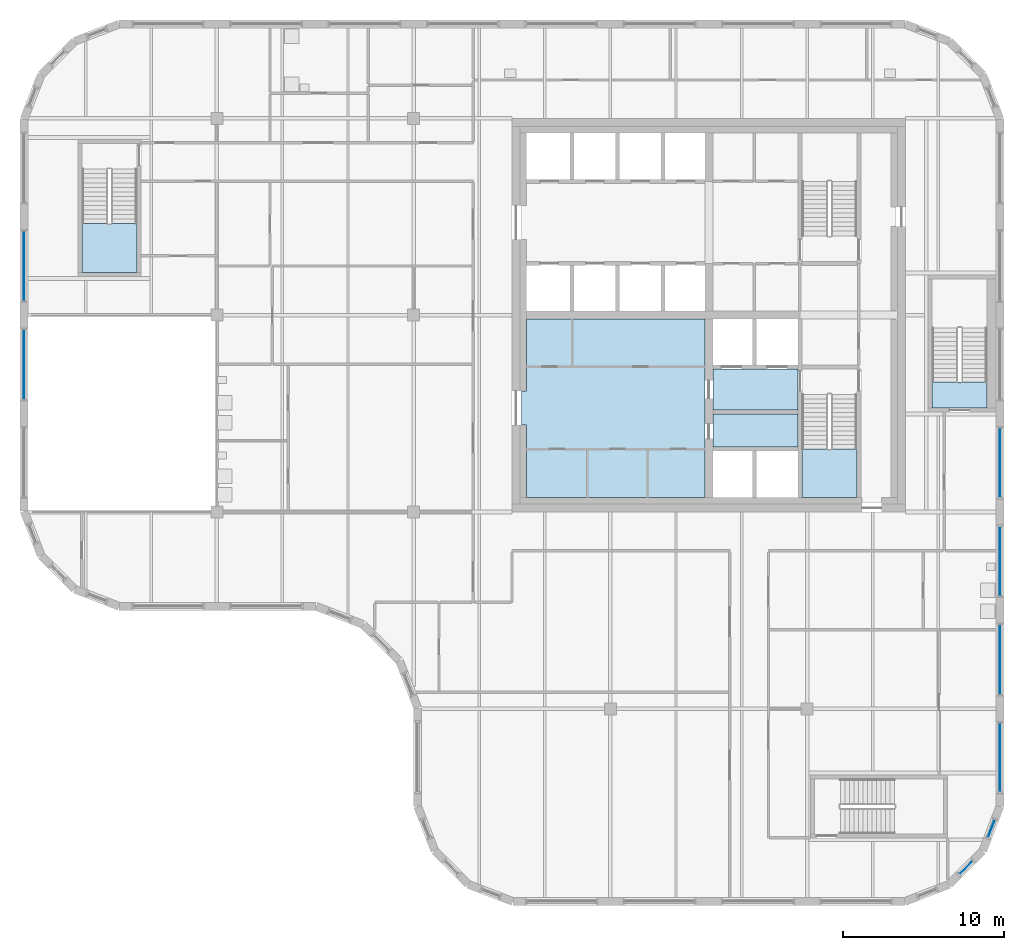
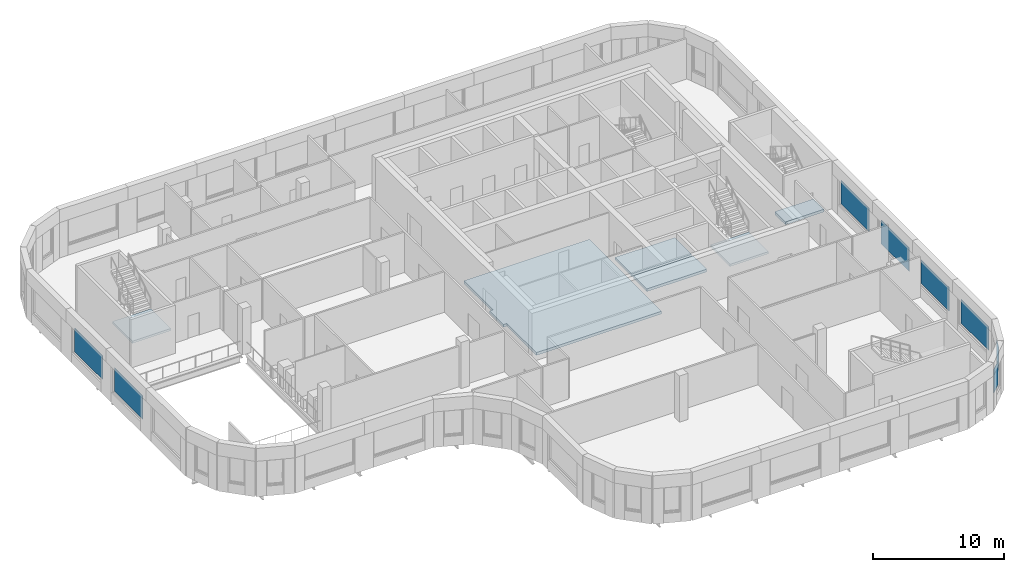
# One storey, part 8 of 21: 8 plates, 6 slabs, 10 elements without a shape of their own.
"""IFC4 building model written with IfcOpenShell, lengths in metres."""

from ifc_helpers import new_model, si_unit, direction, frame, origin, origin_2d, place, context, subcontext, project, spatial, polyline, rectangle, outline, extrude, material, layer, layer_set, type_object, element, aggregate, save


model = new_model("IFC4")

# Units and contexts
model_context = context("Model", 3, precision=1e-05, world=origin(), true_north=direction((0.0, 1.0)))
body_context = subcontext(model_context, "Body", "Model", "MODEL_VIEW")
ifc_project = project(units=[si_unit("LENGTHUNIT", "METRE"), si_unit("AREAUNIT", "SQUARE_METRE"), si_unit("VOLUMEUNIT", "CUBIC_METRE"), si_unit("PLANEANGLEUNIT", "RADIAN"), si_unit("MASSUNIT", "GRAM", prefix="KILO")], contexts=[model_context])

# Site, building, storey
site_placement = place(None, origin())
site = spatial("IfcSite", under=ifc_project, at=site_placement, CompositionType="ELEMENT")
building_placement = place(site_placement, origin())
building = spatial("IfcBuilding", under=site, at=building_placement, Name="Tessera Gate Towers", CompositionType="ELEMENT")
storey_placement = place(building_placement, frame((0.0, 0.0, 193.39990234375)))
storey = spatial("IfcBuildingStorey", under=building, at=storey_placement, Name="L48", CompositionType="ELEMENT", Elevation=193.39990234375)

# Slabs
ifc_material_1 = material(Name="Concrete C35/45", Category="concrete")
ifc_layer_1 = layer(ifc_material_1, 0.25)
ifc_layer_set_1 = layer_set([ifc_layer_1], Name="CORE FLOOR SLAB 250")
slab_type_1 = type_object("IfcSlabType", Name="CORE FLOOR SLAB 250", PredefinedType="FLOOR", material=ifc_layer_set_1)
slab_1_placement = place(storey_placement, frame((0.0, 0.0, -0.25)))
element("IfcSlab", 1, at=slab_1_placement, inside=storey, type_object=slab_type_1, Name="L48 core floor slab", PredefinedType="FLOOR", context=body_context, shape_type="SweptSolid", body=[
    extrude(outline(polyline([(31.39990234375, 36.35009765625), (31.39990234375, 31.89990234375), (31.10009765625, 31.89990234375), (31.10009765625, 29.800048828125), (31.39990234375, 29.800048828125), (31.39990234375, 25.300048828125), (42.449951171875, 25.300048828125), (42.449951171875, 36.35009765625), (31.39990234375, 36.35009765625)])), origin(), (0.0, 0.0, 1.0), 0.25),
])
slab_2_placement = place(storey_placement, frame((0.0, 0.0, -0.25)))
element("IfcSlab", 2, at=slab_2_placement, inside=storey, type_object=slab_type_1, Name="L48 core floor slab", PredefinedType="FLOOR", context=body_context, shape_type="SweptSolid", body=[
    extrude(outline(polyline([(42.949951171875, 33.27490234375), (42.949951171875, 30.72509765625), (48.22509765625, 30.72509765625), (48.22509765625, 33.27490234375), (42.949951171875, 33.27490234375)])), origin(), (0.0, 0.0, 1.0), 0.25),
])
slab_3_placement = place(storey_placement, frame((0.0, 0.0, -0.25)))
element("IfcSlab", 3, at=slab_3_placement, inside=storey, type_object=slab_type_1, Name="L48 core floor slab", PredefinedType="FLOOR", context=body_context, shape_type="SweptSolid", body=[
    extrude(outline(polyline([(48.22509765625, 30.47509765625), (42.949951171875, 30.47509765625), (42.949951171875, 28.425048828125), (48.22509765625, 28.425048828125), (48.22509765625, 30.47509765625)])), origin(), (0.0, 0.0, 1.0), 0.25),
])
slab_4_placement = place(storey_placement, frame((0.0, 0.0, -0.25)))
element("IfcSlab", 4, at=slab_4_placement, inside=storey, type_object=slab_type_1, Name="L48 ST5 floor landing", PredefinedType="FLOOR", context=body_context, shape_type="SweptSolid", body=[
    extrude(outline(polyline([(59.949951171875, 30.85009765625), (59.949951171875, 32.449951171875), (56.550048828125, 32.449951171875), (56.550048828125, 30.85009765625), (59.949951171875, 30.85009765625)])), origin(), (0.0, 0.0, 1.0), 0.25),
])

# Stair, slab
ifc_material_2 = material(Name="Concrete C40/50", Category="concrete")
stair_type_1 = type_object("IfcStairType", Name="EXIT STAIR ST1B 1600", PredefinedType="HALF_TURN_STAIR", material=ifc_material_2)
stair_1_placement = place(storey_placement, origin())
stair_1 = element("IfcStair", 5, at=stair_1_placement, inside=storey, type_object=stair_type_1, Name="L48 Protected Exit Stair ST1", PredefinedType="HALF_TURN_STAIR")
ifc_material_3 = material(Name="Concrete C40/50", Category="concrete")
ifc_layer_2 = layer(ifc_material_3, 0.199951171875)
ifc_layer_set_2 = layer_set([ifc_layer_2], Name="EXIT STAIR LANDING 200")
slab_type_2 = type_object("IfcSlabType", Name="EXIT STAIR LANDING 200", PredefinedType="LANDING", material=ifc_layer_set_2)
slab_5_placement = place(storey_placement, frame((0.0, 0.0, 2.050048828125)))
slab_5 = element("IfcSlab", 6, at=slab_5_placement, type_object=slab_type_2, Name="ST1 landing 1", PredefinedType="LANDING", context=body_context, shape_type="SweptSolid", body=[
    extrude(outline(polyline([(48.47509765625, 28.31494140625), (48.47509765625, 25.300048828125), (51.875, 25.300048828125), (51.875, 28.31494140625), (48.47509765625, 28.31494140625)])), origin(), (0.0, 0.0, 1.0), 0.199951171875),
])
aggregate(stair_1, [slab_5])

ifc_material_4 = material(Name="Concrete C40/50", Category="concrete")
stair_type_2 = type_object("IfcStairType", Name="EXIT STAIR ST3B 1600", PredefinedType="HALF_TURN_STAIR", material=ifc_material_4)
stair_2_placement = place(storey_placement, origin())
stair_2 = element("IfcStair", 7, at=stair_2_placement, inside=storey, type_object=stair_type_2, Name="L48 West Exit Stair ST3", PredefinedType="HALF_TURN_STAIR")
slab_6_placement = place(storey_placement, frame((0.0, 0.0, 2.050048828125)))
slab_6 = element("IfcSlab", 8, at=slab_6_placement, type_object=slab_type_2, Name="ST3 landing 1", PredefinedType="LANDING", context=body_context, shape_type="SweptSolid", body=[
    extrude(outline(polyline([(3.85009765625, 42.2900390625), (3.85009765625, 39.25), (7.25, 39.25), (7.25, 42.2900390625), (3.85009765625, 42.2900390625)])), origin(), (0.0, 0.0, 1.0), 0.199951171875),
])
aggregate(stair_2, [slab_6])

# Curtain wall, plate
ifc_material_5 = material(Name="Aluminium frame", Category="aluminium")
curtain_wall_type = type_object("IfcCurtainWallType", Name="CW-S3 amenity floor glazing", PredefinedType="NOTDEFINED", material=ifc_material_5)
curtain_wall_1_placement = place(storey_placement, origin())
curtain_wall_1 = element("IfcCurtainWall", 9, at=curtain_wall_1_placement, inside=storey, type_object=curtain_wall_type, Name="Curtain wall amenity floor glazing 0050", PredefinedType="NOTDEFINED")
ifc_material_6 = material(Name="Low-e laminated glass", Category="glass")
ifc_layer_3 = layer(ifc_material_6, 0.035888671875)
ifc_layer_set_3 = layer_set([ifc_layer_3], Name="PN-S3 glass panel 36")
plate_type = type_object("IfcPlateType", Name="PN-S3 glass panel 36", PredefinedType="CURTAIN_PANEL", material=ifc_layer_set_3)
plate_1_placement = place(storey_placement, frame((58.647216796875, 2.352783203125, 1.0), z_axis=(0.0, 0.0, 1.0), x_axis=(0.707106781187, 0.707106781187, 0.0)))
plate_1 = element("IfcPlate", 10, at=plate_1_placement, type_object=plate_type, Name="T1-CW3-0050 panel 1.1", PredefinedType="CURTAIN_PANEL", context=body_context, shape_type="SweptSolid", body=[
    extrude(rectangle(XDim=1.14404296875, YDim=0.035888671875, at=origin_2d()), origin(), (0.0, 0.0, 1.0), 2.199951171875),
])
aggregate(curtain_wall_1, [plate_1])

curtain_wall_2_placement = place(storey_placement, origin())
curtain_wall_2 = element("IfcCurtainWall", 11, at=curtain_wall_2_placement, inside=storey, type_object=curtain_wall_type, Name="Curtain wall amenity floor glazing 0051", PredefinedType="NOTDEFINED")
plate_2_placement = place(storey_placement, frame((60.218994140625, 4.77001953125, 1.0), z_axis=(0.0, 0.0, 1.0), x_axis=(0.359904070394, 0.932989314041, 0.0)))
plate_2 = element("IfcPlate", 12, at=plate_2_placement, type_object=plate_type, Name="T1-CW3-0051 panel 1.1", PredefinedType="CURTAIN_PANEL", context=body_context, shape_type="SweptSolid", body=[
    extrude(rectangle(XDim=1.150634765625, YDim=0.035888671875, at=origin_2d()), origin(), (0.0, 0.0, 1.0), 2.199951171875),
])
aggregate(curtain_wall_2, [plate_2])

curtain_wall_3_placement = place(storey_placement, origin())
curtain_wall_3 = element("IfcCurtainWall", 13, at=curtain_wall_3_placement, inside=storey, type_object=curtain_wall_type, Name="Curtain wall amenity floor glazing 0052", PredefinedType="NOTDEFINED")
plate_3_placement = place(storey_placement, frame((60.75, 9.17333984375, 1.0), z_axis=(0.0, 0.0, 1.0), x_axis=(0.0, 1.0, 0.0)))
plate_3 = element("IfcPlate", 14, at=plate_3_placement, type_object=plate_type, Name="T1-CW3-0052 panel 1.1", PredefinedType="CURTAIN_PANEL", context=body_context, shape_type="SweptSolid", body=[
    extrude(rectangle(XDim=4.25341796875, YDim=0.035888671875, at=origin_2d()), origin(), (0.0, 0.0, 1.0), 2.199951171875),
])
aggregate(curtain_wall_3, [plate_3])

curtain_wall_4_placement = place(storey_placement, origin())
curtain_wall_4 = element("IfcCurtainWall", 15, at=curtain_wall_4_placement, inside=storey, type_object=curtain_wall_type, Name="Curtain wall amenity floor glazing 0053", PredefinedType="NOTDEFINED")
plate_4_placement = place(storey_placement, frame((60.75, 15.25, 1.0), z_axis=(0.0, 0.0, 1.0), x_axis=(0.0, 1.0, 0.0)))
plate_4 = element("IfcPlate", 16, at=plate_4_placement, type_object=plate_type, Name="T1-CW3-0053 panel 1.1", PredefinedType="CURTAIN_PANEL", context=body_context, shape_type="SweptSolid", body=[
    extrude(rectangle(XDim=4.300048828125, YDim=0.035888671875, at=origin_2d()), origin(), (0.0, 0.0, 1.0), 2.199951171875),
])
aggregate(curtain_wall_4, [plate_4])

curtain_wall_5_placement = place(storey_placement, origin())
curtain_wall_5 = element("IfcCurtainWall", 17, at=curtain_wall_5_placement, inside=storey, type_object=curtain_wall_type, Name="Curtain wall amenity floor glazing 0054", PredefinedType="NOTDEFINED")
plate_5_placement = place(storey_placement, frame((60.75, 21.35009765625, 1.0), z_axis=(0.0, 0.0, 1.0), x_axis=(0.0, 1.0, 0.0)))
plate_5 = element("IfcPlate", 18, at=plate_5_placement, type_object=plate_type, Name="T1-CW3-0054 panel 1.1", PredefinedType="CURTAIN_PANEL", context=body_context, shape_type="SweptSolid", body=[
    extrude(rectangle(XDim=4.300048828125, YDim=0.035888671875, at=origin_2d()), origin(), (0.0, 0.0, 1.0), 2.199951171875),
])
aggregate(curtain_wall_5, [plate_5])

curtain_wall_6_placement = place(storey_placement, origin())
curtain_wall_6 = element("IfcCurtainWall", 19, at=curtain_wall_6_placement, inside=storey, type_object=curtain_wall_type, Name="Curtain wall amenity floor glazing 0055", PredefinedType="NOTDEFINED")
plate_6_placement = place(storey_placement, frame((60.75, 27.449951171875, 1.0), z_axis=(0.0, 0.0, 1.0), x_axis=(0.0, 1.0, 0.0)))
plate_6 = element("IfcPlate", 20, at=plate_6_placement, type_object=plate_type, Name="T1-CW3-0055 panel 1.1", PredefinedType="CURTAIN_PANEL", context=body_context, shape_type="SweptSolid", body=[
    extrude(rectangle(XDim=4.300048828125, YDim=0.035888671875, at=origin_2d()), origin(), (0.0, 0.0, 1.0), 2.199951171875),
])
aggregate(curtain_wall_6, [plate_6])

curtain_wall_7_placement = place(storey_placement, origin())
curtain_wall_7 = element("IfcCurtainWall", 21, at=curtain_wall_7_placement, inside=storey, type_object=curtain_wall_type, Name="Curtain wall amenity floor glazing 0074", PredefinedType="NOTDEFINED")
plate_7_placement = place(storey_placement, frame((0.25, 39.64990234375, 1.0), z_axis=(0.0, 0.0, 1.0), x_axis=(0.0, -1.0, 0.0)))
plate_7 = element("IfcPlate", 22, at=plate_7_placement, type_object=plate_type, Name="T1-CW3-0074 panel 1.1", PredefinedType="CURTAIN_PANEL", context=body_context, shape_type="SweptSolid", body=[
    extrude(rectangle(XDim=4.300048828125, YDim=0.035888671875, at=origin_2d()), origin(), (0.0, 0.0, 1.0), 2.199951171875),
])
aggregate(curtain_wall_7, [plate_7])

curtain_wall_8_placement = place(storey_placement, origin())
curtain_wall_8 = element("IfcCurtainWall", 23, at=curtain_wall_8_placement, inside=storey, type_object=curtain_wall_type, Name="Curtain wall amenity floor glazing 0075", PredefinedType="NOTDEFINED")
plate_8_placement = place(storey_placement, frame((0.25, 33.550048828125, 1.0), z_axis=(0.0, 0.0, 1.0), x_axis=(0.0, -1.0, 0.0)))
plate_8 = element("IfcPlate", 24, at=plate_8_placement, type_object=plate_type, Name="T1-CW3-0075 panel 1.1", PredefinedType="CURTAIN_PANEL", context=body_context, shape_type="SweptSolid", body=[
    extrude(rectangle(XDim=4.300048828125, YDim=0.035888671875, at=origin_2d()), origin(), (0.0, 0.0, 1.0), 2.199951171875),
])
aggregate(curtain_wall_8, [plate_8])

save(model, "model.ifc")
